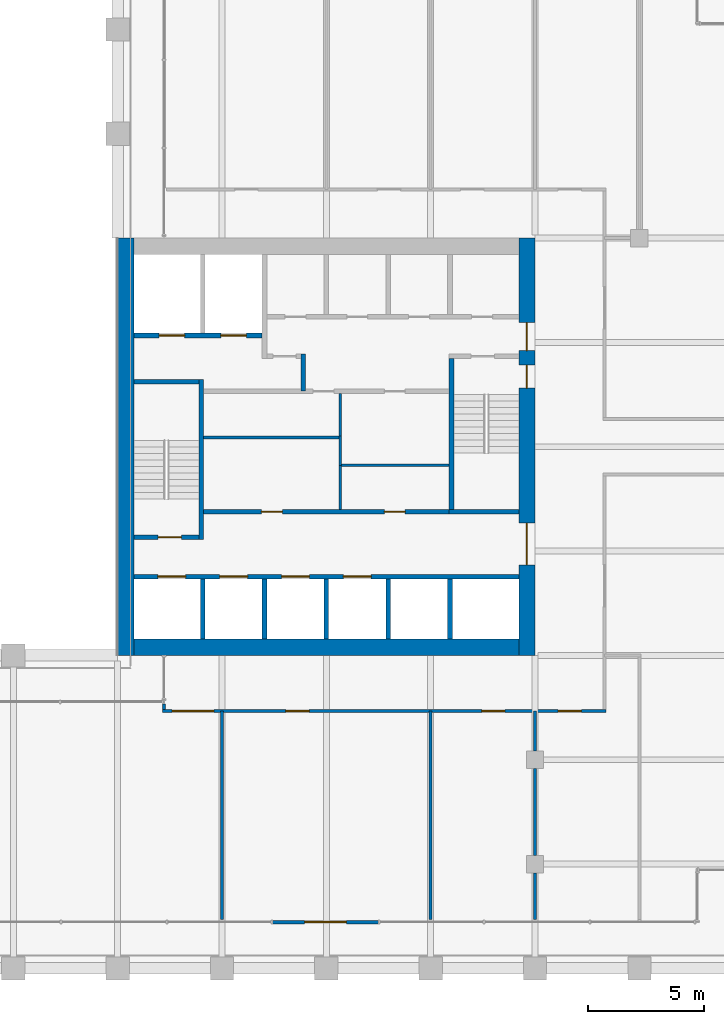
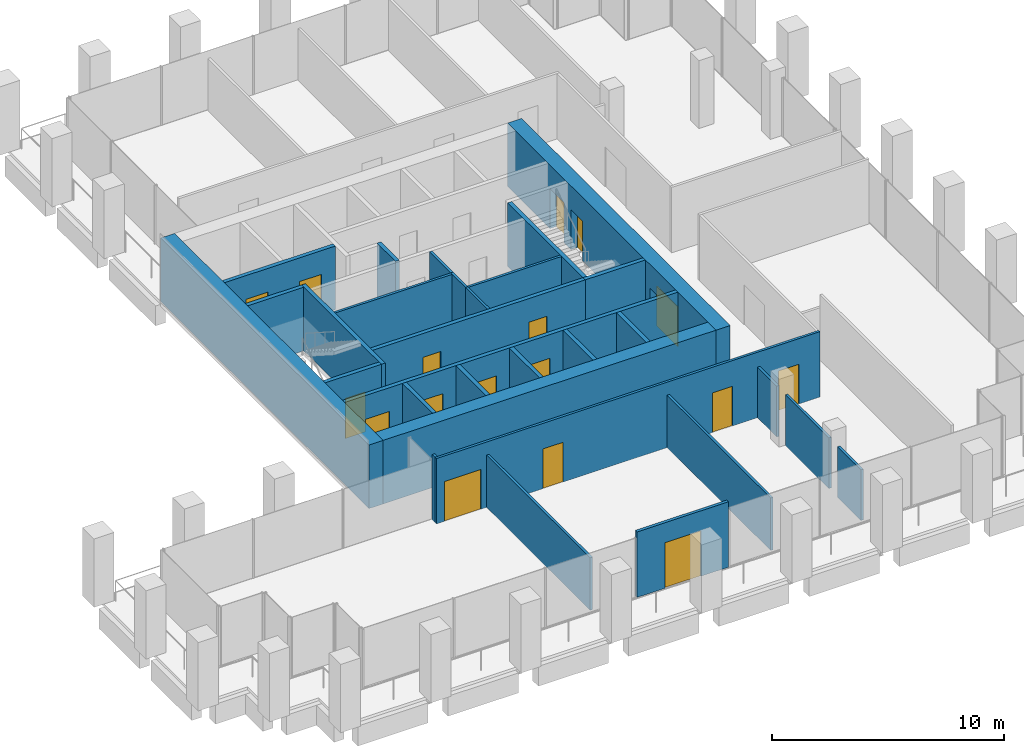
# One storey, part 41 of 46: 30 walls, 17 doors, 17 openings.
"""IFC4 building model written with IfcOpenShell, lengths in metres."""

from ifc_helpers import new_model, si_unit, direction, frame, frame_2d, origin, place, context, subcontext, project, spatial, rectangle, extrude, material, layer, layer_set, type_object, element, fill, save


model = new_model("IFC4")

# Units and contexts
model_context = context("Model", 3, precision=1e-05, world=origin(), true_north=direction((0.0, 1.0)))
body_context = subcontext(model_context, "Body", "Model", "MODEL_VIEW")
ifc_project = project(units=[si_unit("LENGTHUNIT", "METRE"), si_unit("AREAUNIT", "SQUARE_METRE"), si_unit("VOLUMEUNIT", "CUBIC_METRE"), si_unit("PLANEANGLEUNIT", "RADIAN"), si_unit("MASSUNIT", "GRAM", prefix="KILO")], contexts=[model_context])

# Site, building, storey
site_placement = place(None, origin())
site = spatial("IfcSite", under=ifc_project, at=site_placement, CompositionType="ELEMENT")
building_placement = place(site_placement, origin())
building = spatial("IfcBuilding", under=site, at=building_placement, Name="Altepetl Exchange Towers", CompositionType="ELEMENT")
storey_placement = place(building_placement, frame((0.0, 0.0, 120.800048828125)))
storey = spatial("IfcBuildingStorey", under=building, at=storey_placement, Name="L29", CompositionType="ELEMENT", Elevation=120.800048828125)

# Wall, openings, doors
ifc_material_1 = material(Name="Concrete C70/85", Category="concrete")
ifc_layer_1 = layer(ifc_material_1, 0.699951171875)
ifc_layer_set_1 = layer_set([ifc_layer_1], Name="Concrete C70/85")
wall_type_1 = type_object("IfcWallType", Name="Core wall 700 reinforced concrete", PredefinedType="SHEAR", material=ifc_layer_set_1)
wall_1_placement = place(storey_placement, frame((58.14990234375, 40.5, 0.0), z_axis=(0.0, 0.0, 1.0), x_axis=(0.0, 1.0, 0.0)))
wall_1 = element("IfcWall", 1, at=wall_1_placement, inside=storey, type_object=wall_type_1, Name="wall:A:L29:K-coreE", PredefinedType="SHEAR", context=body_context, shape_type="SweptSolid", body=[
    extrude(rectangle(XDim=18.0, YDim=0.699951171875, at=frame_2d((9.0, 0.0))), origin(), (0.0, 0.0, 1.0), 3.349853515625),
])
opening_1_placement = place(wall_1_placement, frame((13.14990234375, 0.0, 0.0)))
opening_1 = element("IfcOpeningElement", 2, at=opening_1_placement, cuts=wall_1, Name="Opening L29.A60", PredefinedType="OPENING", context=body_context, shape_type="SweptSolid", body=[
    extrude(rectangle(XDim=1.199951171875, YDim=2.10009765625, at=frame_2d((0.60009765625, 1.050048828125))), frame((0.0, 0.35986328125, 0.0), z_axis=(0.0, -1.0, 0.0), x_axis=(1.0, 0.0, 0.0)), (0.0, 0.0, 1.0), 0.719970703125),
])
opening_2_placement = place(wall_1_placement, frame((3.89990234375, 0.0, 0.0)))
opening_2 = element("IfcOpeningElement", 3, at=opening_2_placement, cuts=wall_1, Name="Opening L29.A61", PredefinedType="OPENING", context=body_context, shape_type="SweptSolid", body=[
    extrude(rectangle(XDim=1.800048828125, YDim=2.10009765625, at=frame_2d((0.89990234375, 1.050048828125))), frame((0.0, 0.35986328125, 0.0), z_axis=(0.0, -1.0, 0.0), x_axis=(1.0, 0.0, 0.0)), (0.0, 0.0, 1.0), 0.719970703125),
])
opening_3_placement = place(wall_1_placement, frame((11.52490234375, 0.0, 0.0)))
opening_3 = element("IfcOpeningElement", 4, at=opening_3_placement, cuts=wall_1, Name="Opening L29.A64", PredefinedType="OPENING", context=body_context, shape_type="SweptSolid", body=[
    extrude(rectangle(XDim=1.0, YDim=2.10009765625, at=frame_2d((0.5, 1.050048828125))), frame((0.0, 0.35986328125, 0.0), z_axis=(0.0, -1.0, 0.0), x_axis=(1.0, 0.0, 0.0)), (0.0, 0.0, 1.0), 0.719970703125),
])
ifc_material_2 = material(Name="Steel and timber fire door", Category="steel")
door_type_1 = type_object("IfcDoorType", Name="Fire door 1000 x 2100 stair and lobby", OperationType="SINGLE_SWING_LEFT", PredefinedType="DOOR", material=ifc_material_2)
door_1_placement = place(opening_3_placement, origin())
door_1 = element("IfcDoor", 5, at=door_1_placement, inside=storey, type_object=door_type_1, Name="door:A:L29:K-dS2x", OperationType="SINGLE_SWING_RIGHT", OverallHeight=2.10009765625, OverallWidth=1.0, PredefinedType="DOOR", context=body_context, shape_type="SweptSolid", body=[
    extrude(rectangle(XDim=1.0, YDim=2.10009765625, at=frame_2d((0.5, 1.050048828125))), frame((0.0, 0.02490234375, 0.0), z_axis=(0.0, -1.0, 0.0), x_axis=(1.0, 0.0, 0.0)), (0.0, 0.0, 1.0), 0.050048828125),
])
fill(opening_3, door_1)
door_type_2 = type_object("IfcDoorType", Name="Fire door 1200 x 2100 lobby entry", OperationType="SINGLE_SWING_LEFT", PredefinedType="DOOR", material=ifc_material_2)
door_2_placement = place(opening_1_placement, origin())
door_2 = element("IfcDoor", 6, at=door_2_placement, inside=storey, type_object=door_type_2, Name="door:A:L29:K-dLNE", OperationType="SINGLE_SWING_RIGHT", OverallHeight=2.10009765625, OverallWidth=1.199951171875, PredefinedType="DOOR", context=body_context, shape_type="SweptSolid", body=[
    extrude(rectangle(XDim=1.199951171875, YDim=2.10009765625, at=frame_2d((0.60009765625, 1.050048828125))), frame((0.0, 0.02490234375, 0.0), z_axis=(0.0, -1.0, 0.0), x_axis=(1.0, 0.0, 0.0)), (0.0, 0.0, 1.0), 0.050048828125),
])
fill(opening_1, door_2)
door_type_3 = type_object("IfcDoorType", Name="Fire door 1800 x 2100 lobby entry", OperationType="DOUBLE_DOOR_SINGLE_SWING", PredefinedType="DOOR", material=ifc_material_2)
door_3_placement = place(opening_2_placement, origin())
door_3 = element("IfcDoor", 7, at=door_3_placement, inside=storey, type_object=door_type_3, Name="door:A:L29:K-dLSE", OperationType="DOUBLE_DOOR_SINGLE_SWING", OverallHeight=2.10009765625, OverallWidth=1.800048828125, PredefinedType="DOOR", context=body_context, shape_type="SweptSolid", body=[
    extrude(rectangle(XDim=1.800048828125, YDim=2.10009765625, at=frame_2d((0.89990234375, 1.050048828125))), frame((0.0, 0.02490234375, 0.0), z_axis=(0.0, -1.0, 0.0), x_axis=(1.0, 0.0, 0.0)), (0.0, 0.0, 1.0), 0.050048828125),
])
fill(opening_2, door_3)

# Walls
wall_2_placement = place(storey_placement, frame((41.199951171875, 40.85009765625, 0.0)))
element("IfcWall", 8, at=wall_2_placement, inside=storey, type_object=wall_type_1, Name="wall:A:L29:K-coreS", PredefinedType="SHEAR", context=body_context, shape_type="SweptSolid", body=[
    extrude(rectangle(XDim=16.60009765625, YDim=0.699951171875, at=frame_2d((8.300048828125, 0.0))), origin(), (0.0, 0.0, 1.0), 3.349853515625),
])
ifc_layer_2 = layer(ifc_material_1, 0.699951171875)
ifc_layer_set_2 = layer_set([ifc_layer_2], Name="Concrete C70/85")
wall_type_2 = type_object("IfcWallType", Name="Core wall 700 reinforced concrete external", PredefinedType="SHEAR", material=ifc_layer_set_2)
wall_3_placement = place(storey_placement, frame((40.85009765625, 40.5, 0.0), z_axis=(0.0, 0.0, 1.0), x_axis=(0.0, 1.0, 0.0)))
element("IfcWall", 9, at=wall_3_placement, inside=storey, type_object=wall_type_2, Name="wall:A:L29:K-coreW", PredefinedType="SHEAR", context=body_context, shape_type="SweptSolid", body=[
    extrude(rectangle(XDim=18.0, YDim=0.699951171875, at=frame_2d((9.0, 0.0))), origin(), (0.0, 0.0, 1.0), 3.349853515625),
])

# Wall, opening, door
ifc_material_3 = material(Name="Aluminium composite cladding", Category="aluminium")
ifc_layer_3 = layer(ifc_material_3, 0.14990234375)
ifc_layer_set_3 = layer_set([ifc_layer_3], Name="Aluminium composite cladding")
wall_type_3 = type_object("IfcWallType", Name="Infill wall 150 aluminium panel", PredefinedType="SOLIDWALL", material=ifc_layer_set_3)
wall_4_placement = place(storey_placement, frame((47.18212890625, 29.0, 0.0)))
wall_4 = element("IfcWall", 10, at=wall_4_placement, inside=storey, type_object=wall_type_3, Name="Loggia door bay wall", PredefinedType="SOLIDWALL", context=body_context, shape_type="SweptSolid", body=[
    extrude(rectangle(XDim=4.560791015625, YDim=0.14990234375, at=frame_2d((2.2802734375, 0.0))), origin(), (0.0, 0.0, 1.0), 3.449951171875),
])
opening_4_placement = place(wall_4_placement, frame((1.38037109375, 0.0, 0.0)))
opening_4 = element("IfcOpeningElement", 11, at=opening_4_placement, cuts=wall_4, Name="Opening L29.A90", PredefinedType="OPENING", context=body_context, shape_type="SweptSolid", body=[
    extrude(rectangle(XDim=1.800048828125, YDim=2.39990234375, at=frame_2d((0.89990234375, 1.199951171875))), frame((0.0, 0.0849609375, 0.0), z_axis=(0.0, -1.0, 0.0), x_axis=(1.0, 0.0, 0.0)), (0.0, 0.0, 1.0), 0.169921875),
])
ifc_material_4 = material(Name="Aluminium 6063-T6 and glass", Category="aluminium")
door_type_4 = type_object("IfcDoorType", Name="Glazed door pair 1800x2400", OperationType="DOUBLE_DOOR_DOUBLE_SWING", PredefinedType="NOTDEFINED", material=ifc_material_4)
door_4_placement = place(opening_4_placement, frame((1.800048828125, 0.0, 0.0), x_axis=(-1.0, 0.0, 0.0)))
door_4 = element("IfcDoor", 12, at=door_4_placement, inside=storey, type_object=door_type_4, Name="Loggia door", OperationType="DOUBLE_DOOR_DOUBLE_SWING", OverallHeight=2.39990234375, OverallWidth=1.800048828125, PredefinedType="NOTDEFINED", context=body_context, shape_type="SweptSolid", body=[
    extrude(rectangle(XDim=1.800048828125, YDim=2.39990234375, at=frame_2d((0.89990234375, 1.199951171875))), frame((0.0, 0.02490234375, 0.0), z_axis=(0.0, -1.0, 0.0), x_axis=(1.0, 0.0, 0.0)), (0.0, 0.0, 1.0), 0.050048828125),
])
fill(opening_4, door_4)

# Wall
ifc_material_5 = material(Name="Concrete blockwork", Category="masonry")
ifc_layer_4 = layer(ifc_material_5, 0.199951171875)
ifc_layer_set_4 = layer_set([ifc_layer_4], Name="Concrete blockwork")
wall_type_4 = type_object("IfcWallType", Name="Lobby wall 200 blockwork", PredefinedType="PARTITIONING", material=ifc_layer_set_4)
wall_5_placement = place(storey_placement, frame((48.5, 51.89990234375, 0.0), z_axis=(0.0, 0.0, 1.0), x_axis=(0.0, 1.0, 0.0)))
element("IfcWall", 13, at=wall_5_placement, inside=storey, type_object=wall_type_4, Name="wall:A:L29:K-ffE", PredefinedType="PARTITIONING", context=body_context, shape_type="SweptSolid", body=[
    extrude(rectangle(XDim=1.60009765625, YDim=0.199951171875, at=frame_2d((0.800048828125, 0.0))), origin(), (0.0, 0.0, 1.0), 3.349853515625),
])

# Wall, openings, doors
wall_6_placement = place(storey_placement, frame((44.199951171875, 46.699951171875, 0.0)))
wall_6 = element("IfcWall", 14, at=wall_6_placement, inside=storey, type_object=wall_type_4, Name="wall:A:L29:K-zoneS", PredefinedType="PARTITIONING", context=body_context, shape_type="SweptSolid", body=[
    extrude(rectangle(XDim=10.60009765625, YDim=0.199951171875, at=frame_2d((5.300048828125, 0.0))), origin(), (0.0, 0.0, 1.0), 3.349853515625),
])
opening_5_placement = place(wall_6_placement, frame((2.5, 0.0, 0.0)))
opening_5 = element("IfcOpeningElement", 15, at=opening_5_placement, cuts=wall_6, Name="Opening L29.A70", PredefinedType="OPENING", context=body_context, shape_type="SweptSolid", body=[
    extrude(rectangle(XDim=0.89990234375, YDim=2.10009765625, at=frame_2d((0.449951171875, 1.050048828125))), frame((0.0, 0.10986328125, 0.0), z_axis=(0.0, -1.0, 0.0), x_axis=(1.0, 0.0, 0.0)), (0.0, 0.0, 1.0), 0.219970703125),
])
opening_6_placement = place(wall_6_placement, frame((7.800048828125, 0.0, 0.0)))
opening_6 = element("IfcOpeningElement", 16, at=opening_6_placement, cuts=wall_6, Name="Opening L29.A72", PredefinedType="OPENING", context=body_context, shape_type="SweptSolid", body=[
    extrude(rectangle(XDim=0.89990234375, YDim=2.10009765625, at=frame_2d((0.449951171875, 1.050048828125))), frame((0.0, 0.10986328125, 0.0), z_axis=(0.0, -1.0, 0.0), x_axis=(1.0, 0.0, 0.0)), (0.0, 0.0, 1.0), 0.219970703125),
])
door_type_5 = type_object("IfcDoorType", Name="Fire door 900 x 2100 service room", OperationType="SINGLE_SWING_LEFT", PredefinedType="DOOR", material=ifc_material_2)
door_5_placement = place(opening_5_placement, origin())
door_5 = element("IfcDoor", 17, at=door_5_placement, inside=storey, type_object=door_type_5, Name="door:A:L29:K-dz1", OperationType="SINGLE_SWING_RIGHT", OverallHeight=2.10009765625, OverallWidth=0.89990234375, PredefinedType="DOOR", context=body_context, shape_type="SweptSolid", body=[
    extrude(rectangle(XDim=0.89990234375, YDim=2.10009765625, at=frame_2d((0.449951171875, 1.050048828125))), frame((0.0, 0.02490234375, 0.0), z_axis=(0.0, -1.0, 0.0), x_axis=(1.0, 0.0, 0.0)), (0.0, 0.0, 1.0), 0.050048828125),
])
fill(opening_5, door_5)
door_6_placement = place(opening_6_placement, origin())
door_6 = element("IfcDoor", 18, at=door_6_placement, inside=storey, type_object=door_type_5, Name="door:A:L29:K-dz3", OperationType="SINGLE_SWING_RIGHT", OverallHeight=2.10009765625, OverallWidth=0.89990234375, PredefinedType="DOOR", context=body_context, shape_type="SweptSolid", body=[
    extrude(rectangle(XDim=0.89990234375, YDim=2.10009765625, at=frame_2d((0.449951171875, 1.050048828125))), frame((0.0, 0.02490234375, 0.0), z_axis=(0.0, -1.0, 0.0), x_axis=(1.0, 0.0, 0.0)), (0.0, 0.0, 1.0), 0.050048828125),
])
fill(opening_6, door_6)

# Walls
ifc_material_6 = material(Name="Gypsum board on steel studs", Category="steel")
ifc_layer_5 = layer(ifc_material_6, 0.125)
ifc_layer_set_5 = layer_set([ifc_layer_5], Name="Gypsum board on steel studs")
wall_type_5 = type_object("IfcWallType", Name="Partition 125 gypsum board on steel studs", PredefinedType="PARTITIONING", material=ifc_layer_set_5)
wall_7_placement = place(storey_placement, frame((50.10009765625, 46.800048828125, 0.0), z_axis=(0.0, 0.0, 1.0), x_axis=(0.0, 1.0, 0.0)))
element("IfcWall", 19, at=wall_7_placement, inside=storey, type_object=wall_type_5, Name="wall:A:L29:K-zp1", PredefinedType="PARTITIONING", context=body_context, shape_type="SweptSolid", body=[
    extrude(rectangle(XDim=1.96240234375, YDim=0.125, at=frame_2d((0.981201171875, 0.0))), origin(), (0.0, 0.0, 1.0), 3.349853515625),
])
wall_8_placement = place(storey_placement, frame((54.800048828125, 48.699951171875, 0.0), z_axis=(0.0, 0.0, 1.0), x_axis=(-1.0, 0.0, 0.0)))
element("IfcWall", 20, at=wall_8_placement, inside=storey, type_object=wall_type_5, Name="wall:A:L29:K-zp2", PredefinedType="PARTITIONING", context=body_context, shape_type="SweptSolid", body=[
    extrude(rectangle(XDim=4.637451171875, YDim=0.125, at=frame_2d((2.31884765625, 0.0))), origin(), (0.0, 0.0, 1.0), 3.349853515625),
])
wall_9_placement = place(storey_placement, frame((50.10009765625, 48.699951171875, 0.0), z_axis=(0.0, 0.0, 1.0), x_axis=(0.0, 1.0, 0.0)))
element("IfcWall", 21, at=wall_9_placement, inside=storey, type_object=wall_type_5, Name="wall:A:L29:K-zp3", PredefinedType="PARTITIONING", context=body_context, shape_type="SweptSolid", body=[
    extrude(rectangle(XDim=1.262451171875, YDim=0.125, at=frame_2d((0.63134765625, 0.0))), origin(), (0.0, 0.0, 1.0), 3.349853515625),
])
wall_10_placement = place(storey_placement, frame((50.03759765625, 49.89990234375, 0.0), z_axis=(0.0, 0.0, 1.0), x_axis=(-1.0, 0.0, 0.0)))
element("IfcWall", 22, at=wall_10_placement, inside=storey, type_object=wall_type_5, Name="wall:A:L29:K-zp4", PredefinedType="PARTITIONING", context=body_context, shape_type="SweptSolid", body=[
    extrude(rectangle(XDim=5.837646484375, YDim=0.125, at=frame_2d((2.9189453125, 0.0))), origin(), (0.0, 0.0, 1.0), 3.349853515625),
])
wall_11_placement = place(storey_placement, frame((50.10009765625, 49.89990234375, 0.0), z_axis=(0.0, 0.0, 1.0), x_axis=(0.0, 1.0, 0.0)))
element("IfcWall", 23, at=wall_11_placement, inside=storey, type_object=wall_type_5, Name="wall:A:L29:K-zp5", PredefinedType="PARTITIONING", context=body_context, shape_type="SweptSolid", body=[
    extrude(rectangle(XDim=1.900146484375, YDim=0.125, at=frame_2d((0.9501953125, 0.0))), origin(), (0.0, 0.0, 1.0), 3.349853515625),
])

# Wall, openings, doors
wall_12_placement = place(storey_placement, frame((42.4375, 38.10009765625, 0.0)))
wall_12 = element("IfcWall", 24, at=wall_12_placement, inside=storey, type_object=wall_type_5, Name="wall:A:L29:P01", PredefinedType="PARTITIONING", context=body_context, shape_type="SweptSolid", body=[
    extrude(rectangle(XDim=19.125, YDim=0.125, at=frame_2d((9.5625, 0.0))), origin(), (0.0, 0.0, 1.0), 3.449951171875),
])
opening_7_placement = place(wall_12_placement, frame((0.41259765625, 0.0, 0.0)))
opening_7 = element("IfcOpeningElement", 25, at=opening_7_placement, cuts=wall_12, Name="Opening L29.A01", PredefinedType="OPENING", context=body_context, shape_type="SweptSolid", body=[
    extrude(rectangle(XDim=1.800048828125, YDim=2.10009765625, at=frame_2d((0.89990234375, 1.050048828125))), frame((0.0, 0.072509765625, 0.0), z_axis=(0.0, -1.0, 0.0), x_axis=(1.0, 0.0, 0.0)), (0.0, 0.0, 1.0), 0.14501953125),
])
opening_8_placement = place(wall_12_placement, frame((5.320556640625, 0.0, 0.0)))
opening_8 = element("IfcOpeningElement", 26, at=opening_8_placement, cuts=wall_12, Name="Opening L29.A02", PredefinedType="OPENING", context=body_context, shape_type="SweptSolid", body=[
    extrude(rectangle(XDim=1.0, YDim=2.10009765625, at=frame_2d((0.5, 1.050048828125))), frame((0.0, 0.072509765625, 0.0), z_axis=(0.0, -1.0, 0.0), x_axis=(1.0, 0.0, 0.0)), (0.0, 0.0, 1.0), 0.14501953125),
])
opening_9_placement = place(wall_12_placement, frame((13.767578125, 0.0, 0.0)))
opening_9 = element("IfcOpeningElement", 27, at=opening_9_placement, cuts=wall_12, Name="Opening L29.A03", PredefinedType="OPENING", context=body_context, shape_type="SweptSolid", body=[
    extrude(rectangle(XDim=1.0, YDim=2.10009765625, at=frame_2d((0.5, 1.050048828125))), frame((0.0, 0.072509765625, 0.0), z_axis=(0.0, -1.0, 0.0), x_axis=(1.0, 0.0, 0.0)), (0.0, 0.0, 1.0), 0.14501953125),
])
opening_10_placement = place(wall_12_placement, frame((17.0625, 0.0, 0.0)))
opening_10 = element("IfcOpeningElement", 28, at=opening_10_placement, cuts=wall_12, Name="Opening L29.A04", PredefinedType="OPENING", context=body_context, shape_type="SweptSolid", body=[
    extrude(rectangle(XDim=1.0, YDim=2.10009765625, at=frame_2d((0.5, 1.050048828125))), frame((0.0, 0.072509765625, 0.0), z_axis=(0.0, -1.0, 0.0), x_axis=(1.0, 0.0, 0.0)), (0.0, 0.0, 1.0), 0.14501953125),
])
door_type_6 = type_object("IfcDoorType", Name="Fire door 1000 x 2100 single leaf", OperationType="SINGLE_SWING_LEFT", PredefinedType="DOOR", material=ifc_material_2)
door_7_placement = place(opening_8_placement, frame((1.0, 0.0, 0.0), x_axis=(-1.0, 0.0, 0.0)))
door_7 = element("IfcDoor", 29, at=door_7_placement, inside=storey, type_object=door_type_6, Name="door:A:L29:02", OperationType="SINGLE_SWING_RIGHT", OverallHeight=2.10009765625, OverallWidth=1.0, PredefinedType="DOOR", context=body_context, shape_type="SweptSolid", body=[
    extrude(rectangle(XDim=1.0, YDim=2.10009765625, at=frame_2d((0.5, 1.050048828125))), frame((0.0, 0.02490234375, 0.0), z_axis=(0.0, -1.0, 0.0), x_axis=(1.0, 0.0, 0.0)), (0.0, 0.0, 1.0), 0.050048828125),
])
fill(opening_8, door_7)
door_8_placement = place(opening_9_placement, frame((1.0, 0.0, 0.0), x_axis=(-1.0, 0.0, 0.0)))
door_8 = element("IfcDoor", 30, at=door_8_placement, inside=storey, type_object=door_type_6, Name="door:A:L29:03", OperationType="SINGLE_SWING_LEFT", OverallHeight=2.10009765625, OverallWidth=1.0, PredefinedType="DOOR", context=body_context, shape_type="SweptSolid", body=[
    extrude(rectangle(XDim=1.0, YDim=2.10009765625, at=frame_2d((0.5, 1.050048828125))), frame((0.0, 0.02490234375, 0.0), z_axis=(0.0, -1.0, 0.0), x_axis=(1.0, 0.0, 0.0)), (0.0, 0.0, 1.0), 0.050048828125),
])
fill(opening_9, door_8)
door_9_placement = place(opening_10_placement, frame((1.0, 0.0, 0.0), x_axis=(-1.0, 0.0, 0.0)))
door_9 = element("IfcDoor", 31, at=door_9_placement, inside=storey, type_object=door_type_6, Name="door:A:L29:04", OperationType="SINGLE_SWING_RIGHT", OverallHeight=2.10009765625, OverallWidth=1.0, PredefinedType="DOOR", context=body_context, shape_type="SweptSolid", body=[
    extrude(rectangle(XDim=1.0, YDim=2.10009765625, at=frame_2d((0.5, 1.050048828125))), frame((0.0, 0.02490234375, 0.0), z_axis=(0.0, -1.0, 0.0), x_axis=(1.0, 0.0, 0.0)), (0.0, 0.0, 1.0), 0.050048828125),
])
fill(opening_10, door_9)
door_type_7 = type_object("IfcDoorType", Name="Fire door 1800 x 2100 double leaf", OperationType="DOUBLE_DOOR_SINGLE_SWING", PredefinedType="DOOR", material=ifc_material_2)
door_10_placement = place(opening_7_placement, frame((1.800048828125, 0.0, 0.0), x_axis=(-1.0, 0.0, 0.0)))
door_10 = element("IfcDoor", 32, at=door_10_placement, inside=storey, type_object=door_type_7, Name="door:A:L29:01", OperationType="DOUBLE_DOOR_SINGLE_SWING", OverallHeight=2.10009765625, OverallWidth=1.800048828125, PredefinedType="DOOR", context=body_context, shape_type="SweptSolid", body=[
    extrude(rectangle(XDim=1.800048828125, YDim=2.10009765625, at=frame_2d((0.89990234375, 1.050048828125))), frame((0.0, 0.02490234375, 0.0), z_axis=(0.0, -1.0, 0.0), x_axis=(1.0, 0.0, 0.0)), (0.0, 0.0, 1.0), 0.050048828125),
])
fill(opening_7, door_10)

# Walls
wall_13_placement = place(storey_placement, frame((42.5, 38.16259765625, 0.0), z_axis=(0.0, 0.0, 1.0), x_axis=(0.0, 1.0, 0.0)))
element("IfcWall", 33, at=wall_13_placement, inside=storey, type_object=wall_type_5, Name="wall:A:L29:P07", PredefinedType="PARTITIONING", context=body_context, shape_type="SweptSolid", body=[
    extrude(rectangle(XDim=0.2373046875, YDim=0.125, at=frame_2d((0.11865234375, 0.0))), origin(), (0.0, 0.0, 1.0), 3.449951171875),
])
for number, where, z_axis, x_axis, name in (
    (34, (45.0, 29.10009765625, 0.0), (0.0, 0.0, 1.0), (0.0, 1.0, 0.0), "wall:A:L29:P08"),
    (35, (54.0, 29.10009765625, 0.0), (0.0, 0.0, 1.0), (0.0, 1.0, 0.0), "wall:A:L29:P10"),
):
    element("IfcWall", number, at=place(storey_placement, frame(where, z_axis=z_axis, x_axis=x_axis)), inside=storey, type_object=wall_type_5, Name=name, PredefinedType="PARTITIONING", context=body_context, shape_type="SweptSolid", body=[
        extrude(rectangle(XDim=9.0, YDim=0.125, at=frame_2d((4.5, 0.0))), origin(), (0.0, 0.0, 1.0), 2.765869140625),
    ])
wall_14_placement = place(storey_placement, frame((58.5, 29.10009765625, 0.0), z_axis=(0.0, 0.0, 1.0), x_axis=(0.0, 1.0, 0.0)))
element("IfcWall", 36, at=wall_14_placement, inside=storey, type_object=wall_type_5, Name="wall:A:L29:P12", PredefinedType="PARTITIONING", context=body_context, shape_type="SweptSolid", body=[
    extrude(rectangle(XDim=2.02490234375, YDim=0.125, at=frame_2d((1.012451171875, 0.0))), origin(), (0.0, 0.0, 1.0), 2.676025390625),
])
wall_15_placement = place(storey_placement, frame((58.5, 31.875, 0.0), z_axis=(0.0, 0.0, 1.0), x_axis=(0.0, 1.0, 0.0)))
element("IfcWall", 37, at=wall_15_placement, inside=storey, type_object=wall_type_5, Name="wall:A:L29:P13", PredefinedType="PARTITIONING", context=body_context, shape_type="SweptSolid", body=[
    extrude(rectangle(XDim=3.75, YDim=0.125, at=frame_2d((1.875, 0.0))), origin(), (0.0, 0.0, 1.0), 2.676025390625),
])
wall_16_placement = place(storey_placement, frame((58.5, 36.375, 0.0), z_axis=(0.0, 0.0, 1.0), x_axis=(0.0, 1.0, 0.0)))
element("IfcWall", 38, at=wall_16_placement, inside=storey, type_object=wall_type_5, Name="wall:A:L29:P14", PredefinedType="PARTITIONING", context=body_context, shape_type="SweptSolid", body=[
    extrude(rectangle(XDim=1.72509765625, YDim=0.125, at=frame_2d((0.862548828125, 0.0))), origin(), (0.0, 0.0, 1.0), 2.676025390625),
])
ifc_material_7 = material(Name="Concrete C40/50", Category="concrete")
ifc_layer_6 = layer(ifc_material_7, 0.199951171875)
ifc_layer_set_6 = layer_set([ifc_layer_6], Name="Concrete C40/50")
wall_type_6 = type_object("IfcWallType", Name="Shaft wall 200 reinforced concrete", PredefinedType="SHEAR", material=ifc_layer_set_6)
for number, where, z_axis, x_axis, name in (
    (39, (44.166748046875, 41.199951171875, 0.0), (0.0, 0.0, 1.0), (0.0, 1.0, 0.0), "wall:A:L29:K-divS1"),
    (40, (46.833251953125, 41.199951171875, 0.0), (0.0, 0.0, 1.0), (0.0, 1.0, 0.0), "wall:A:L29:K-divS2"),
    (41, (49.5, 41.199951171875, 0.0), (0.0, 0.0, 1.0), (0.0, 1.0, 0.0), "wall:A:L29:K-divS3"),
    (42, (52.166748046875, 41.199951171875, 0.0), (0.0, 0.0, 1.0), (0.0, 1.0, 0.0), "wall:A:L29:K-divS4"),
    (43, (54.833251953125, 41.199951171875, 0.0), (0.0, 0.0, 1.0), (0.0, 1.0, 0.0), "wall:A:L29:K-divS5"),
):
    element("IfcWall", number, at=place(storey_placement, frame(where, z_axis=z_axis, x_axis=x_axis)), inside=storey, type_object=wall_type_6, Name=name, PredefinedType="SHEAR", context=body_context, shape_type="SweptSolid", body=[
        extrude(rectangle(XDim=2.60009765625, YDim=0.199951171875, at=frame_2d((1.300048828125, 0.0))), origin(), (0.0, 0.0, 1.0), 3.349853515625),
    ])

# Wall, openings, doors
wall_17_placement = place(storey_placement, frame((41.199951171875, 54.300048828125, 0.0)))
wall_17 = element("IfcWall", 44, at=wall_17_placement, inside=storey, type_object=wall_type_6, Name="wall:A:L29:K-frontNd", PredefinedType="SHEAR", context=body_context, shape_type="SweptSolid", body=[
    extrude(rectangle(XDim=5.533447265625, YDim=0.199951171875, at=frame_2d((2.7666015625, 0.0))), origin(), (0.0, 0.0, 1.0), 3.349853515625),
])
opening_11_placement = place(wall_17_placement, frame((1.083251953125, 0.0, 0.0)))
opening_11 = element("IfcOpeningElement", 45, at=opening_11_placement, cuts=wall_17, Name="Opening L29.A74", PredefinedType="OPENING", context=body_context, shape_type="SweptSolid", body=[
    extrude(rectangle(XDim=1.10009765625, YDim=2.10009765625, at=frame_2d((0.550048828125, 1.050048828125))), frame((0.0, 0.10986328125, 0.0), z_axis=(0.0, -1.0, 0.0), x_axis=(1.0, 0.0, 0.0)), (0.0, 0.0, 1.0), 0.219970703125),
])
opening_12_placement = place(wall_17_placement, frame((3.75, 0.0, 0.0)))
opening_12 = element("IfcOpeningElement", 46, at=opening_12_placement, cuts=wall_17, Name="Opening L29.A75", PredefinedType="OPENING", context=body_context, shape_type="SweptSolid", body=[
    extrude(rectangle(XDim=1.10009765625, YDim=2.10009765625, at=frame_2d((0.550048828125, 1.050048828125))), frame((0.0, 0.10986328125, 0.0), z_axis=(0.0, -1.0, 0.0), x_axis=(1.0, 0.0, 0.0)), (0.0, 0.0, 1.0), 0.219970703125),
])
ifc_material_8 = material(Name="Stainless steel", Category="steel")
door_type_8 = type_object("IfcDoorType", Name="Lift landing door 1100 x 2100", OperationType="SLIDING_TO_LEFT", PredefinedType="DOOR", material=ifc_material_8)
door_11_placement = place(opening_11_placement, origin())
door_11 = element("IfcDoor", 47, at=door_11_placement, inside=storey, type_object=door_type_8, Name="Landing door FFL1", OperationType="SLIDING_TO_LEFT", OverallHeight=2.10009765625, OverallWidth=1.10009765625, PredefinedType="DOOR", context=body_context, shape_type="SweptSolid", body=[
    extrude(rectangle(XDim=1.10009765625, YDim=2.10009765625, at=frame_2d((0.550048828125, 1.050048828125))), frame((0.0, 0.02490234375, 0.0), z_axis=(0.0, -1.0, 0.0), x_axis=(1.0, 0.0, 0.0)), (0.0, 0.0, 1.0), 0.050048828125),
])
fill(opening_11, door_11)
door_12_placement = place(opening_12_placement, origin())
door_12 = element("IfcDoor", 48, at=door_12_placement, inside=storey, type_object=door_type_8, Name="Landing door FFL2", OperationType="SLIDING_TO_LEFT", OverallHeight=2.10009765625, OverallWidth=1.10009765625, PredefinedType="DOOR", context=body_context, shape_type="SweptSolid", body=[
    extrude(rectangle(XDim=1.10009765625, YDim=2.10009765625, at=frame_2d((0.550048828125, 1.050048828125))), frame((0.0, 0.02490234375, 0.0), z_axis=(0.0, -1.0, 0.0), x_axis=(1.0, 0.0, 0.0)), (0.0, 0.0, 1.0), 0.050048828125),
])
fill(opening_12, door_12)

wall_18_placement = place(storey_placement, frame((41.199951171875, 43.89990234375, 0.0)))
wall_18 = element("IfcWall", 49, at=wall_18_placement, inside=storey, type_object=wall_type_6, Name="wall:A:L29:K-frontS", PredefinedType="SHEAR", context=body_context, shape_type="SweptSolid", body=[
    extrude(rectangle(XDim=16.60009765625, YDim=0.199951171875, at=frame_2d((8.300048828125, 0.0))), origin(), (0.0, 0.0, 1.0), 3.349853515625),
])
opening_13_placement = place(wall_18_placement, frame((1.033203125, 0.0, 0.0)))
opening_13 = element("IfcOpeningElement", 50, at=opening_13_placement, cuts=wall_18, Name="Opening L29.A76", PredefinedType="OPENING", context=body_context, shape_type="SweptSolid", body=[
    extrude(rectangle(XDim=1.199951171875, YDim=2.10009765625, at=frame_2d((0.60009765625, 1.050048828125))), frame((0.0, 0.10986328125, 0.0), z_axis=(0.0, -1.0, 0.0), x_axis=(1.0, 0.0, 0.0)), (0.0, 0.0, 1.0), 0.219970703125),
])
opening_14_placement = place(wall_18_placement, frame((3.699951171875, 0.0, 0.0)))
opening_14 = element("IfcOpeningElement", 51, at=opening_14_placement, cuts=wall_18, Name="Opening L29.A77", PredefinedType="OPENING", context=body_context, shape_type="SweptSolid", body=[
    extrude(rectangle(XDim=1.199951171875, YDim=2.10009765625, at=frame_2d((0.60009765625, 1.050048828125))), frame((0.0, 0.10986328125, 0.0), z_axis=(0.0, -1.0, 0.0), x_axis=(1.0, 0.0, 0.0)), (0.0, 0.0, 1.0), 0.219970703125),
])
opening_15_placement = place(wall_18_placement, frame((6.36669921875, 0.0, 0.0)))
opening_15 = element("IfcOpeningElement", 52, at=opening_15_placement, cuts=wall_18, Name="Opening L29.A78", PredefinedType="OPENING", context=body_context, shape_type="SweptSolid", body=[
    extrude(rectangle(XDim=1.199951171875, YDim=2.10009765625, at=frame_2d((0.60009765625, 1.050048828125))), frame((0.0, 0.10986328125, 0.0), z_axis=(0.0, -1.0, 0.0), x_axis=(1.0, 0.0, 0.0)), (0.0, 0.0, 1.0), 0.219970703125),
])
opening_16_placement = place(wall_18_placement, frame((9.033203125, 0.0, 0.0)))
opening_16 = element("IfcOpeningElement", 53, at=opening_16_placement, cuts=wall_18, Name="Opening L29.A79", PredefinedType="OPENING", context=body_context, shape_type="SweptSolid", body=[
    extrude(rectangle(XDim=1.199951171875, YDim=2.10009765625, at=frame_2d((0.60009765625, 1.050048828125))), frame((0.0, 0.10986328125, 0.0), z_axis=(0.0, -1.0, 0.0), x_axis=(1.0, 0.0, 0.0)), (0.0, 0.0, 1.0), 0.219970703125),
])
door_type_9 = type_object("IfcDoorType", Name="Lift landing door 1200 x 2100", OperationType="SLIDING_TO_LEFT", PredefinedType="DOOR", material=ifc_material_8)
door_13_placement = place(opening_13_placement, origin())
door_13 = element("IfcDoor", 54, at=door_13_placement, inside=storey, type_object=door_type_9, Name="Landing door P1", OperationType="SLIDING_TO_LEFT", OverallHeight=2.10009765625, OverallWidth=1.199951171875, PredefinedType="DOOR", context=body_context, shape_type="SweptSolid", body=[
    extrude(rectangle(XDim=1.199951171875, YDim=2.10009765625, at=frame_2d((0.60009765625, 1.050048828125))), frame((0.0, 0.02490234375, 0.0), z_axis=(0.0, -1.0, 0.0), x_axis=(1.0, 0.0, 0.0)), (0.0, 0.0, 1.0), 0.050048828125),
])
fill(opening_13, door_13)
door_14_placement = place(opening_14_placement, origin())
door_14 = element("IfcDoor", 55, at=door_14_placement, inside=storey, type_object=door_type_9, Name="Landing door P2", OperationType="SLIDING_TO_LEFT", OverallHeight=2.10009765625, OverallWidth=1.199951171875, PredefinedType="DOOR", context=body_context, shape_type="SweptSolid", body=[
    extrude(rectangle(XDim=1.199951171875, YDim=2.10009765625, at=frame_2d((0.60009765625, 1.050048828125))), frame((0.0, 0.02490234375, 0.0), z_axis=(0.0, -1.0, 0.0), x_axis=(1.0, 0.0, 0.0)), (0.0, 0.0, 1.0), 0.050048828125),
])
fill(opening_14, door_14)
door_15_placement = place(opening_15_placement, origin())
door_15 = element("IfcDoor", 56, at=door_15_placement, inside=storey, type_object=door_type_9, Name="Landing door P3", OperationType="SLIDING_TO_LEFT", OverallHeight=2.10009765625, OverallWidth=1.199951171875, PredefinedType="DOOR", context=body_context, shape_type="SweptSolid", body=[
    extrude(rectangle(XDim=1.199951171875, YDim=2.10009765625, at=frame_2d((0.60009765625, 1.050048828125))), frame((0.0, 0.02490234375, 0.0), z_axis=(0.0, -1.0, 0.0), x_axis=(1.0, 0.0, 0.0)), (0.0, 0.0, 1.0), 0.050048828125),
])
fill(opening_15, door_15)
door_16_placement = place(opening_16_placement, origin())
door_16 = element("IfcDoor", 57, at=door_16_placement, inside=storey, type_object=door_type_9, Name="Landing door P4", OperationType="SLIDING_TO_LEFT", OverallHeight=2.10009765625, OverallWidth=1.199951171875, PredefinedType="DOOR", context=body_context, shape_type="SweptSolid", body=[
    extrude(rectangle(XDim=1.199951171875, YDim=2.10009765625, at=frame_2d((0.60009765625, 1.050048828125))), frame((0.0, 0.02490234375, 0.0), z_axis=(0.0, -1.0, 0.0), x_axis=(1.0, 0.0, 0.0)), (0.0, 0.0, 1.0), 0.050048828125),
])
fill(opening_16, door_16)

# Walls
ifc_layer_7 = layer(ifc_material_7, 0.199951171875)
ifc_layer_set_7 = layer_set([ifc_layer_7], Name="Concrete C40/50")
wall_type_7 = type_object("IfcWallType", Name="Stair wall 200 reinforced concrete", PredefinedType="SHEAR", material=ifc_layer_set_7)
wall_19_placement = place(storey_placement, frame((44.10009765625, 45.5, 0.0), z_axis=(0.0, 0.0, 1.0), x_axis=(0.0, 1.0, 0.0)))
element("IfcWall", 58, at=wall_19_placement, inside=storey, type_object=wall_type_7, Name="wall:A:L29:K-stS1E", PredefinedType="SHEAR", context=body_context, shape_type="SweptSolid", body=[
    extrude(rectangle(XDim=6.89990234375, YDim=0.199951171875, at=frame_2d((3.449951171875, 0.0))), origin(), (0.0, 0.0, 1.0), 3.349853515625),
])
wall_20_placement = place(storey_placement, frame((41.199951171875, 52.300048828125, 0.0)))
element("IfcWall", 59, at=wall_20_placement, inside=storey, type_object=wall_type_7, Name="wall:A:L29:K-stS1N", PredefinedType="SHEAR", context=body_context, shape_type="SweptSolid", body=[
    extrude(rectangle(XDim=2.800048828125, YDim=0.199951171875, at=frame_2d((1.39990234375, 0.0))), origin(), (0.0, 0.0, 1.0), 3.349853515625),
])

# Wall, opening, door
wall_21_placement = place(storey_placement, frame((41.199951171875, 45.60009765625, 0.0)))
wall_21 = element("IfcWall", 60, at=wall_21_placement, inside=storey, type_object=wall_type_7, Name="wall:A:L29:K-stS1S", PredefinedType="SHEAR", context=body_context, shape_type="SweptSolid", body=[
    extrude(rectangle(XDim=2.800048828125, YDim=0.199951171875, at=frame_2d((1.39990234375, 0.0))), origin(), (0.0, 0.0, 1.0), 3.349853515625),
])
opening_17_placement = place(wall_21_placement, frame((1.050048828125, 0.0, 0.0)))
opening_17 = element("IfcOpeningElement", 61, at=opening_17_placement, cuts=wall_21, Name="Opening L29.A62", PredefinedType="OPENING", context=body_context, shape_type="SweptSolid", body=[
    extrude(rectangle(XDim=1.0, YDim=2.10009765625, at=frame_2d((0.5, 1.050048828125))), frame((0.0, 0.10986328125, 0.0), z_axis=(0.0, -1.0, 0.0), x_axis=(1.0, 0.0, 0.0)), (0.0, 0.0, 1.0), 0.219970703125),
])
door_17_placement = place(opening_17_placement, origin())
door_17 = element("IfcDoor", 62, at=door_17_placement, inside=storey, type_object=door_type_1, Name="door:A:L29:K-dS1in", OperationType="SINGLE_SWING_RIGHT", OverallHeight=2.10009765625, OverallWidth=1.0, PredefinedType="DOOR", context=body_context, shape_type="SweptSolid", body=[
    extrude(rectangle(XDim=1.0, YDim=2.10009765625, at=frame_2d((0.5, 1.050048828125))), frame((0.0, 0.02490234375, 0.0), z_axis=(0.0, -1.0, 0.0), x_axis=(1.0, 0.0, 0.0)), (0.0, 0.0, 1.0), 0.050048828125),
])
fill(opening_17, door_17)

# Walls
wall_22_placement = place(storey_placement, frame((54.800048828125, 46.699951171875, 0.0)))
element("IfcWall", 63, at=wall_22_placement, inside=storey, type_object=wall_type_7, Name="wall:A:L29:K-stS2S", PredefinedType="SHEAR", context=body_context, shape_type="SweptSolid", body=[
    extrude(rectangle(XDim=3.0, YDim=0.199951171875, at=frame_2d((1.5, 0.0))), origin(), (0.0, 0.0, 1.0), 3.349853515625),
])
wall_23_placement = place(storey_placement, frame((54.89990234375, 46.800048828125, 0.0), z_axis=(0.0, 0.0, 1.0), x_axis=(0.0, 1.0, 0.0)))
element("IfcWall", 64, at=wall_23_placement, inside=storey, type_object=wall_type_7, Name="wall:A:L29:K-stS2W", PredefinedType="SHEAR", context=body_context, shape_type="SweptSolid", body=[
    extrude(rectangle(XDim=6.5, YDim=0.199951171875, at=frame_2d((3.25, 0.0))), origin(), (0.0, 0.0, 1.0), 3.349853515625),
])

save(model, "model.ifc")
